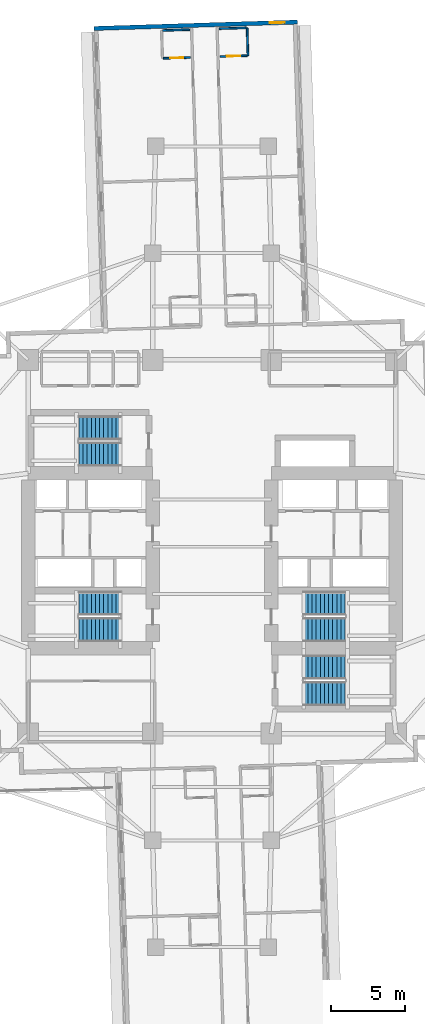
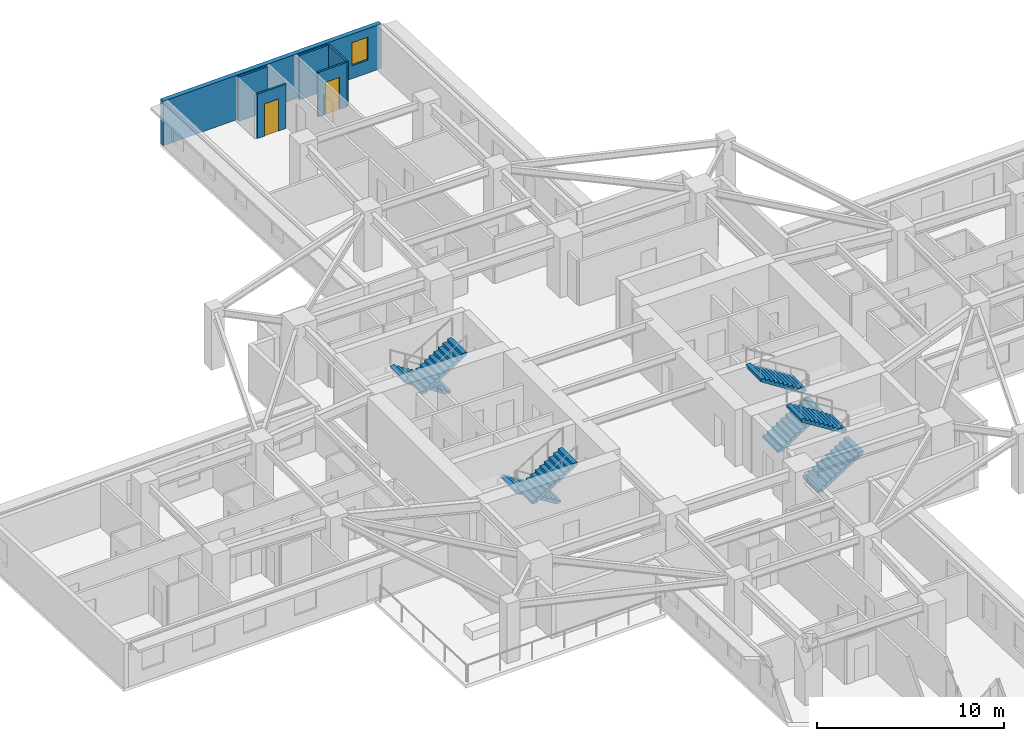
# One storey, part 9 of 14: 8 stair flights, 6 walls, 2 doors, 1 window, 3 openings, 4 elements without a shape of their own.
"""IFC4 building model written with IfcOpenShell, lengths in metres."""

from ifc_helpers import new_model, si_unit, direction, frame, frame_2d, origin, place, context, subcontext, project, spatial, polyline, rectangle, outline, extrude, material, layer, layer_set, type_object, element, fill, aggregate, save


model = new_model("IFC4")

# Units and contexts
model_context = context("Model", 3, precision=1e-05, world=origin(), true_north=direction((0.0, 1.0)))
body_context = subcontext(model_context, "Body", "Model", "MODEL_VIEW")
ifc_project = project(units=[si_unit("LENGTHUNIT", "METRE"), si_unit("AREAUNIT", "SQUARE_METRE"), si_unit("VOLUMEUNIT", "CUBIC_METRE"), si_unit("PLANEANGLEUNIT", "RADIAN"), si_unit("MASSUNIT", "GRAM", prefix="KILO")], contexts=[model_context])

# Site, building, storey
site_placement = place(None, origin())
site = spatial("IfcSite", under=ifc_project, at=site_placement, CompositionType="ELEMENT")
building_placement = place(site_placement, origin())
building = spatial("IfcBuilding", under=site, at=building_placement, Name="Qingluan Cross Belvedere", CompositionType="ELEMENT")
storey_placement = place(building_placement, frame((0.0, 0.0, 56.10009765625)))
storey = spatial("IfcBuildingStorey", under=building, at=storey_placement, Name="L14", CompositionType="ELEMENT", Elevation=56.10009765625)

# Wall, opening, door
ifc_material_1 = material(Name="Moisture-resistant gypsum board lining")
ifc_layer_1 = layer(ifc_material_1, 0.1201171875, Name="EnsuiteWetPartition_120")
ifc_layer_set_1 = layer_set([ifc_layer_1], Name="Moisture-resistant gypsum board lining")
wall_type_1 = type_object("IfcWallType", Name="EnsuiteWetPartition_120", PredefinedType="PARTITIONING", material=ifc_layer_set_1)
wall_1_placement = place(storey_placement, frame((0.5419921875, 33.05322265625, 0.0), z_axis=(0.0, 0.0, 1.0), x_axis=(0.999503004171, 0.03152371574, 0.0)))
wall_1 = element("IfcWall", 1, at=wall_1_placement, inside=storey, type_object=wall_type_1, Name="Partition L14:N:bs0_1", PredefinedType="PARTITIONING", context=body_context, shape_type="SweptSolid", body=[
    extrude(rectangle(XDim=1.820068359375, YDim=0.1201171875, at=frame_2d((0.91015625, 0.0))), origin(), (0.0, 0.0, 1.0), 2.89990234375),
])
opening_1_placement = place(wall_1_placement, frame((0.469970703125, 0.0, 0.0)))
opening_1 = element("IfcOpeningElement", 2, at=opening_1_placement, cuts=wall_1, Name="Opening BD-09", PredefinedType="OPENING", context=body_context, shape_type="SweptSolid", body=[
    extrude(rectangle(XDim=0.8798828125, YDim=2.10009765625, at=frame_2d((0.43994140625, 1.050048828125))), frame((0.0, 0.070068359375, 0.0), z_axis=(0.0, -1.0, 0.0), x_axis=(1.0, 0.0, 0.0)), (0.0, 0.0, 1.0), 0.14013671875),
])
ifc_material_2 = material(Name="Moisture-sealed timber en-suite door", Category="wood")
door_type = type_object("IfcDoorType", Name="BathroomDoor_880", OperationType="NOTDEFINED", PredefinedType="DOOR", material=ifc_material_2)
door_1_placement = place(opening_1_placement, origin())
door_1 = element("IfcDoor", 3, at=door_1_placement, inside=storey, type_object=door_type, Name="Bathroom door 1414", OperationType="SINGLE_SWING_RIGHT", OverallHeight=2.10009765625, OverallWidth=0.8798828125, PredefinedType="DOOR", context=body_context, shape_type="SweptSolid", body=[
    extrude(rectangle(XDim=0.8798828125, YDim=2.10009765625, at=frame_2d((0.43994140625, 1.050048828125))), frame((0.0, 0.02490234375, 0.0), z_axis=(0.0, -1.0, 0.0), x_axis=(1.0, 0.0, 0.0)), (0.0, 0.0, 1.0), 0.050048828125),
])
fill(opening_1, door_1)

# Walls
wall_2_placement = place(storey_placement, frame((0.48291015625, 34.932373046875, 0.0), z_axis=(0.0, 0.0, 1.0), x_axis=(0.999507221803, 0.031389704724, 0.0)))
element("IfcWall", 4, at=wall_2_placement, inside=storey, type_object=wall_type_1, Name="Partition L14:N:bw0_1", PredefinedType="PARTITIONING", context=body_context, shape_type="SweptSolid", body=[
    extrude(rectangle(XDim=1.820068359375, YDim=0.1201171875, at=frame_2d((0.91015625, 0.0))), origin(), (0.0, 0.0, 1.0), 2.89990234375),
])
wall_3_placement = place(storey_placement, frame((2.426025390625, 33.112548828125, 0.0), z_axis=(0.0, 0.0, 1.0), x_axis=(-0.031295563454, 0.999510173889, 0.0)))
element("IfcWall", 5, at=wall_3_placement, inside=storey, type_object=wall_type_1, Name="Partition L14:N:bn0_1", PredefinedType="PARTITIONING", context=body_context, shape_type="SweptSolid", body=[
    extrude(rectangle(XDim=1.880126953125, YDim=0.1201171875, at=frame_2d((0.93994140625, 0.0))), origin(), (0.0, 0.0, 1.0), 2.89990234375),
])

# Wall, opening, door
wall_4_placement = place(storey_placement, frame((-3.276123046875, 32.933349609375, 0.0), z_axis=(0.0, 0.0, 1.0), x_axis=(0.999507221803, 0.031389704724, 0.0)))
wall_4 = element("IfcWall", 6, at=wall_4_placement, inside=storey, type_object=wall_type_1, Name="Partition L14:N:bs1_1", PredefinedType="PARTITIONING", context=body_context, shape_type="SweptSolid", body=[
    extrude(rectangle(XDim=1.820068359375, YDim=0.1201171875, at=frame_2d((0.91015625, 0.0))), origin(), (0.0, 0.0, 1.0), 2.89990234375),
])
opening_2_placement = place(wall_4_placement, frame((0.469970703125, 0.0, 0.0)))
opening_2 = element("IfcOpeningElement", 7, at=opening_2_placement, cuts=wall_4, Name="Opening BD-09", PredefinedType="OPENING", context=body_context, shape_type="SweptSolid", body=[
    extrude(rectangle(XDim=0.8798828125, YDim=2.10009765625, at=frame_2d((0.43994140625, 1.050048828125))), frame((0.0, 0.070068359375, 0.0), z_axis=(0.0, -1.0, 0.0), x_axis=(1.0, 0.0, 0.0)), (0.0, 0.0, 1.0), 0.14013671875),
])
door_2_placement = place(opening_2_placement, origin())
door_2 = element("IfcDoor", 8, at=door_2_placement, inside=storey, type_object=door_type, Name="Bathroom door 1416", OperationType="SINGLE_SWING_RIGHT", OverallHeight=2.10009765625, OverallWidth=0.8798828125, PredefinedType="DOOR", context=body_context, shape_type="SweptSolid", body=[
    extrude(rectangle(XDim=0.8798828125, YDim=2.10009765625, at=frame_2d((0.43994140625, 1.050048828125))), frame((0.0, 0.02490234375, 0.0), z_axis=(0.0, -1.0, 0.0), x_axis=(1.0, 0.0, 0.0)), (0.0, 0.0, 1.0), 0.050048828125),
])
fill(opening_2, door_2)

# Wall
wall_5_placement = place(storey_placement, frame((-3.335205078125, 34.8125, 0.0), z_axis=(0.0, 0.0, 1.0), x_axis=(0.999507221803, 0.031389704724, 0.0)))
element("IfcWall", 9, at=wall_5_placement, inside=storey, type_object=wall_type_1, Name="Partition L14:N:bw1_1", PredefinedType="PARTITIONING", context=body_context, shape_type="SweptSolid", body=[
    extrude(rectangle(XDim=1.820068359375, YDim=0.1201171875, at=frame_2d((0.91015625, 0.0))), origin(), (0.0, 0.0, 1.0), 2.89990234375),
])

# Wall, opening, window
ifc_material_3 = material(Name="Precast concrete C45", Category="concrete")
ifc_layer_2 = layer(ifc_material_3, 0.280029296875, Name="PrecastFacadeWall_280")
ifc_layer_set_2 = layer_set([ifc_layer_2], Name="Precast concrete C45")
wall_type_2 = type_object("IfcWallType", Name="PrecastFacadeWall_280", PredefinedType="STANDARD", material=ifc_layer_set_2)
wall_6_placement = place(storey_placement, frame((5.751708984375, 35.378173828125, 0.0), z_axis=(0.0, 0.0, 1.0), x_axis=(-0.999506679556, -0.031406966164, 0.0)))
wall_6 = element("IfcWall", 10, at=wall_6_placement, inside=storey, type_object=wall_type_2, Name="Arm tip precast facade wall L14-N", PredefinedType="STANDARD", context=body_context, shape_type="SweptSolid", body=[
    extrude(rectangle(XDim=13.72021484375, YDim=0.280029296875, at=frame_2d((6.860107421875, 0.0))), origin(), (0.0, 0.0, 1.0), 2.909912109375),
])
opening_3_placement = place(wall_6_placement, frame((0.85009765625, 0.0, 0.85009765625)))
opening_3 = element("IfcOpeningElement", 11, at=opening_3_placement, cuts=wall_6, Name="Opening W-03", PredefinedType="OPENING", context=body_context, shape_type="SweptSolid", body=[
    extrude(rectangle(XDim=1.0, YDim=1.5, at=frame_2d((0.5, 0.75))), frame((0.0, 0.14990234375, 0.0), z_axis=(0.0, -1.0, 0.0), x_axis=(1.0, 0.0, 0.0)), (0.0, 0.0, 1.0), 0.300048828125),
])
ifc_material_4 = material(Name="Thermally broken triple Low-E glass in aluminium frame", Category="aluminium")
window_type = type_object("IfcWindowType", Name="TriApexWin_1000x1500", PartitioningType="SINGLE_PANEL", PredefinedType="WINDOW", material=ifc_material_4)
window_placement = place(opening_3_placement, origin())
window = element("IfcWindow", 12, at=window_placement, inside=storey, type_object=window_type, Name="Arm tip triangular window L14-N", OverallHeight=1.5, OverallWidth=1.0, PartitioningType="SINGLE_PANEL", PredefinedType="WINDOW", context=body_context, shape_type="SweptSolid", body=[
    extrude(rectangle(XDim=1.0, YDim=1.5, at=frame_2d((0.5, 0.75))), frame((0.0, 0.030029296875, 0.0), z_axis=(0.0, -1.0, 0.0), x_axis=(1.0, 0.0, 0.0)), (0.0, 0.0, 1.0), 0.06005859375),
])
fill(opening_3, window)

# Stair, stair flights
ifc_material_5 = material(Name="Concrete C40", Category="concrete")
stair_type = type_object("IfcStairType", Name="CoreDoglegStair_1620", PredefinedType="HALF_TURN_STAIR", material=ifc_material_5)
stair_1_placement = place(storey_placement, origin())
stair_1 = element("IfcStair", 13, at=stair_1_placement, inside=storey, type_object=stair_type, Name="L14 ST1", PredefinedType="HALF_TURN_STAIR")
ifc_material_6 = material(Name="Concrete C40", Category="concrete")
ifc_layer_3 = layer(ifc_material_6, 0.179931640625, Name="StairFlight_RC180")
ifc_layer_set_3 = layer_set([ifc_layer_3], Name="Concrete C40")
stair_flight_type = type_object("IfcStairFlightType", Name="StairFlight_RC180", PredefinedType="STRAIGHT", material=ifc_layer_set_3)
stair_flight_1_placement = place(storey_placement, frame((-6.179931640625, -3.81005859375, 0.0), z_axis=(0.0, 0.0, 1.0), x_axis=(-1.0, 0.0, 0.0)))
stair_flight_1 = element("IfcStairFlight", 14, at=stair_flight_1_placement, type_object=stair_flight_type, Name="ST1 flight 1", NumberOfRisers=11, NumberOfTreads=10, PredefinedType="STRAIGHT", RiserHeight=0.177272727, TreadLength=0.28, context=body_context, shape_type="SweptSolid", body=[
    extrude(outline(polyline([(0.0, 0.0), (0.0, 0.17724609375), (0.280029296875, 0.17724609375), (0.280029296875, 0.3544921875), (0.56005859375, 0.3544921875), (0.56005859375, 0.53173828125), (0.840087890625, 0.53173828125), (0.840087890625, 0.708984375), (1.1201171875, 0.708984375), (1.1201171875, 0.886474609375), (1.39990234375, 0.886474609375), (1.39990234375, 1.063720703125), (1.679931640625, 1.063720703125), (1.679931640625, 1.240966796875), (1.9599609375, 1.240966796875), (1.9599609375, 1.418212890625), (2.239990234375, 1.418212890625), (2.239990234375, 1.595458984375), (2.52001953125, 1.595458984375), (2.52001953125, 1.772705078125), (2.800048828125, 1.772705078125), (2.800048828125, 1.949951171875), (2.800048828125, 1.59521484375), (0.2802734375, 0.0), (0.0, 0.0)])), frame((0.0, 0.81005859375, 0.0), z_axis=(0.0, -1.0, 0.0), x_axis=(1.0, 0.0, 0.0)), (0.0, 0.0, 1.0), 1.6201171875),
])
stair_flight_2_placement = place(storey_placement, frame((-8.97998046875, -5.590087890625, 1.949951171875), z_axis=(0.0, 0.0, 1.0), x_axis=(1.0, 0.0, 0.0)))
stair_flight_2 = element("IfcStairFlight", 15, at=stair_flight_2_placement, type_object=stair_flight_type, Name="ST1 flight 2", NumberOfRisers=11, NumberOfTreads=10, PredefinedType="STRAIGHT", RiserHeight=0.177272727, TreadLength=0.28, context=body_context, shape_type="SweptSolid", body=[
    extrude(outline(polyline([(0.0, 0.0), (0.0, 0.17724609375), (0.280029296875, 0.17724609375), (0.280029296875, 0.3544921875), (0.56005859375, 0.3544921875), (0.56005859375, 0.53173828125), (0.840087890625, 0.53173828125), (0.840087890625, 0.708984375), (1.1201171875, 0.708984375), (1.1201171875, 0.886474609375), (1.39990234375, 0.886474609375), (1.39990234375, 1.063720703125), (1.679931640625, 1.063720703125), (1.679931640625, 1.240966796875), (1.9599609375, 1.240966796875), (1.9599609375, 1.418212890625), (2.239990234375, 1.418212890625), (2.239990234375, 1.595458984375), (2.52001953125, 1.595458984375), (2.52001953125, 1.772705078125), (2.800048828125, 1.772705078125), (2.800048828125, 1.949951171875), (2.800048828125, 1.59521484375), (0.2802734375, 0.0), (0.0, 0.0)])), frame((0.0, 0.81005859375, 0.0), z_axis=(0.0, -1.0, 0.0), x_axis=(1.0, 0.0, 0.0)), (0.0, 0.0, 1.0), 1.6201171875),
])
aggregate(stair_1, [stair_flight_1, stair_flight_2])

stair_2_placement = place(storey_placement, origin())
stair_2 = element("IfcStair", 16, at=stair_2_placement, inside=storey, type_object=stair_type, Name="L14 ST2", PredefinedType="HALF_TURN_STAIR")
stair_flight_3_placement = place(storey_placement, frame((6.179931640625, -5.590087890625, 0.0), z_axis=(0.0, 0.0, 1.0), x_axis=(1.0, 0.0, 0.0)))
stair_flight_3 = element("IfcStairFlight", 17, at=stair_flight_3_placement, type_object=stair_flight_type, Name="ST2 flight 1", NumberOfRisers=11, NumberOfTreads=10, PredefinedType="STRAIGHT", RiserHeight=0.177272727, TreadLength=0.28, context=body_context, shape_type="SweptSolid", body=[
    extrude(outline(polyline([(0.0, 0.0), (0.0, 0.17724609375), (0.280029296875, 0.17724609375), (0.280029296875, 0.3544921875), (0.56005859375, 0.3544921875), (0.56005859375, 0.53173828125), (0.840087890625, 0.53173828125), (0.840087890625, 0.708984375), (1.1201171875, 0.708984375), (1.1201171875, 0.886474609375), (1.39990234375, 0.886474609375), (1.39990234375, 1.063720703125), (1.679931640625, 1.063720703125), (1.679931640625, 1.240966796875), (1.9599609375, 1.240966796875), (1.9599609375, 1.418212890625), (2.239990234375, 1.418212890625), (2.239990234375, 1.595458984375), (2.52001953125, 1.595458984375), (2.52001953125, 1.772705078125), (2.800048828125, 1.772705078125), (2.800048828125, 1.949951171875), (2.800048828125, 1.59521484375), (0.2802734375, 0.0), (0.0, 0.0)])), frame((0.0, 0.81005859375, 0.0), z_axis=(0.0, -1.0, 0.0), x_axis=(1.0, 0.0, 0.0)), (0.0, 0.0, 1.0), 1.6201171875),
])
stair_flight_4_placement = place(storey_placement, frame((8.97998046875, -3.81005859375, 1.949951171875), z_axis=(0.0, 0.0, 1.0), x_axis=(-1.0, 0.0, 0.0)))
stair_flight_4 = element("IfcStairFlight", 18, at=stair_flight_4_placement, type_object=stair_flight_type, Name="ST2 flight 2", NumberOfRisers=11, NumberOfTreads=10, PredefinedType="STRAIGHT", RiserHeight=0.177272727, TreadLength=0.28, context=body_context, shape_type="SweptSolid", body=[
    extrude(outline(polyline([(0.0, 0.0), (0.0, 0.17724609375), (0.280029296875, 0.17724609375), (0.280029296875, 0.3544921875), (0.56005859375, 0.3544921875), (0.56005859375, 0.53173828125), (0.840087890625, 0.53173828125), (0.840087890625, 0.708984375), (1.1201171875, 0.708984375), (1.1201171875, 0.886474609375), (1.39990234375, 0.886474609375), (1.39990234375, 1.063720703125), (1.679931640625, 1.063720703125), (1.679931640625, 1.240966796875), (1.9599609375, 1.240966796875), (1.9599609375, 1.418212890625), (2.239990234375, 1.418212890625), (2.239990234375, 1.595458984375), (2.52001953125, 1.595458984375), (2.52001953125, 1.772705078125), (2.800048828125, 1.772705078125), (2.800048828125, 1.949951171875), (2.800048828125, 1.59521484375), (0.2802734375, 0.0), (0.0, 0.0)])), frame((0.0, 0.81005859375, 0.0), z_axis=(0.0, -1.0, 0.0), x_axis=(1.0, 0.0, 0.0)), (0.0, 0.0, 1.0), 1.6201171875),
])
aggregate(stair_2, [stair_flight_3, stair_flight_4])

stair_3_placement = place(storey_placement, origin())
stair_3 = element("IfcStair", 19, at=stair_3_placement, inside=storey, type_object=stair_type, Name="L14 ST3", PredefinedType="HALF_TURN_STAIR")
stair_flight_5_placement = place(storey_placement, frame((-6.179931640625, 8.010009765625, 0.0), z_axis=(0.0, 0.0, 1.0), x_axis=(-1.0, 0.0, 0.0)))
stair_flight_5 = element("IfcStairFlight", 20, at=stair_flight_5_placement, type_object=stair_flight_type, Name="ST3 flight 1", NumberOfRisers=11, NumberOfTreads=10, PredefinedType="STRAIGHT", RiserHeight=0.177272727, TreadLength=0.28, context=body_context, shape_type="SweptSolid", body=[
    extrude(outline(polyline([(0.0, 0.0), (0.0, 0.17724609375), (0.280029296875, 0.17724609375), (0.280029296875, 0.3544921875), (0.56005859375, 0.3544921875), (0.56005859375, 0.53173828125), (0.840087890625, 0.53173828125), (0.840087890625, 0.708984375), (1.1201171875, 0.708984375), (1.1201171875, 0.886474609375), (1.39990234375, 0.886474609375), (1.39990234375, 1.063720703125), (1.679931640625, 1.063720703125), (1.679931640625, 1.240966796875), (1.9599609375, 1.240966796875), (1.9599609375, 1.418212890625), (2.239990234375, 1.418212890625), (2.239990234375, 1.595458984375), (2.52001953125, 1.595458984375), (2.52001953125, 1.772705078125), (2.800048828125, 1.772705078125), (2.800048828125, 1.949951171875), (2.800048828125, 1.59521484375), (0.2802734375, 0.0), (0.0, 0.0)])), frame((0.0, 0.81005859375, 0.0), z_axis=(0.0, -1.0, 0.0), x_axis=(1.0, 0.0, 0.0)), (0.0, 0.0, 1.0), 1.6201171875),
])
stair_flight_6_placement = place(storey_placement, frame((-8.97998046875, 6.22998046875, 1.949951171875), z_axis=(0.0, 0.0, 1.0), x_axis=(1.0, 0.0, 0.0)))
stair_flight_6 = element("IfcStairFlight", 21, at=stair_flight_6_placement, type_object=stair_flight_type, Name="ST3 flight 2", NumberOfRisers=11, NumberOfTreads=10, PredefinedType="STRAIGHT", RiserHeight=0.177272727, TreadLength=0.28, context=body_context, shape_type="SweptSolid", body=[
    extrude(outline(polyline([(0.0, 0.0), (0.0, 0.17724609375), (0.280029296875, 0.17724609375), (0.280029296875, 0.3544921875), (0.56005859375, 0.3544921875), (0.56005859375, 0.53173828125), (0.840087890625, 0.53173828125), (0.840087890625, 0.708984375), (1.1201171875, 0.708984375), (1.1201171875, 0.886474609375), (1.39990234375, 0.886474609375), (1.39990234375, 1.063720703125), (1.679931640625, 1.063720703125), (1.679931640625, 1.240966796875), (1.9599609375, 1.240966796875), (1.9599609375, 1.418212890625), (2.239990234375, 1.418212890625), (2.239990234375, 1.595458984375), (2.52001953125, 1.595458984375), (2.52001953125, 1.772705078125), (2.800048828125, 1.772705078125), (2.800048828125, 1.949951171875), (2.800048828125, 1.59521484375), (0.2802734375, 0.0), (0.0, 0.0)])), frame((0.0, 0.81005859375, 0.0), z_axis=(0.0, -1.0, 0.0), x_axis=(1.0, 0.0, 0.0)), (0.0, 0.0, 1.0), 1.6201171875),
])
aggregate(stair_3, [stair_flight_5, stair_flight_6])

stair_4_placement = place(storey_placement, origin())
stair_4 = element("IfcStair", 22, at=stair_4_placement, inside=storey, type_object=stair_type, Name="L14 ST4", PredefinedType="HALF_TURN_STAIR")
stair_flight_7_placement = place(storey_placement, frame((6.179931640625, -9.909912109375, 0.0), z_axis=(0.0, 0.0, 1.0), x_axis=(1.0, 0.0, 0.0)))
stair_flight_7 = element("IfcStairFlight", 23, at=stair_flight_7_placement, type_object=stair_flight_type, Name="ST4 flight 1", NumberOfRisers=11, NumberOfTreads=10, PredefinedType="STRAIGHT", RiserHeight=0.177272727, TreadLength=0.28, context=body_context, shape_type="SweptSolid", body=[
    extrude(outline(polyline([(0.0, 0.0), (0.0, 0.17724609375), (0.280029296875, 0.17724609375), (0.280029296875, 0.3544921875), (0.56005859375, 0.3544921875), (0.56005859375, 0.53173828125), (0.840087890625, 0.53173828125), (0.840087890625, 0.708984375), (1.1201171875, 0.708984375), (1.1201171875, 0.886474609375), (1.39990234375, 0.886474609375), (1.39990234375, 1.063720703125), (1.679931640625, 1.063720703125), (1.679931640625, 1.240966796875), (1.9599609375, 1.240966796875), (1.9599609375, 1.418212890625), (2.239990234375, 1.418212890625), (2.239990234375, 1.595458984375), (2.52001953125, 1.595458984375), (2.52001953125, 1.772705078125), (2.800048828125, 1.772705078125), (2.800048828125, 1.949951171875), (2.800048828125, 1.59521484375), (0.2802734375, 0.0), (0.0, 0.0)])), frame((0.0, 0.81005859375, 0.0), z_axis=(0.0, -1.0, 0.0), x_axis=(1.0, 0.0, 0.0)), (0.0, 0.0, 1.0), 1.6201171875),
])
stair_flight_8_placement = place(storey_placement, frame((8.97998046875, -8.1298828125, 1.949951171875), z_axis=(0.0, 0.0, 1.0), x_axis=(-1.0, 0.0, 0.0)))
stair_flight_8 = element("IfcStairFlight", 24, at=stair_flight_8_placement, type_object=stair_flight_type, Name="ST4 flight 2", NumberOfRisers=11, NumberOfTreads=10, PredefinedType="STRAIGHT", RiserHeight=0.177272727, TreadLength=0.28, context=body_context, shape_type="SweptSolid", body=[
    extrude(outline(polyline([(0.0, 0.0), (0.0, 0.17724609375), (0.280029296875, 0.17724609375), (0.280029296875, 0.3544921875), (0.56005859375, 0.3544921875), (0.56005859375, 0.53173828125), (0.840087890625, 0.53173828125), (0.840087890625, 0.708984375), (1.1201171875, 0.708984375), (1.1201171875, 0.886474609375), (1.39990234375, 0.886474609375), (1.39990234375, 1.063720703125), (1.679931640625, 1.063720703125), (1.679931640625, 1.240966796875), (1.9599609375, 1.240966796875), (1.9599609375, 1.418212890625), (2.239990234375, 1.418212890625), (2.239990234375, 1.595458984375), (2.52001953125, 1.595458984375), (2.52001953125, 1.772705078125), (2.800048828125, 1.772705078125), (2.800048828125, 1.949951171875), (2.800048828125, 1.59521484375), (0.2802734375, 0.0), (0.0, 0.0)])), frame((0.0, 0.81005859375, 0.0), z_axis=(0.0, -1.0, 0.0), x_axis=(1.0, 0.0, 0.0)), (0.0, 0.0, 1.0), 1.6201171875),
])
aggregate(stair_4, [stair_flight_7, stair_flight_8])

save(model, "model.ifc")
